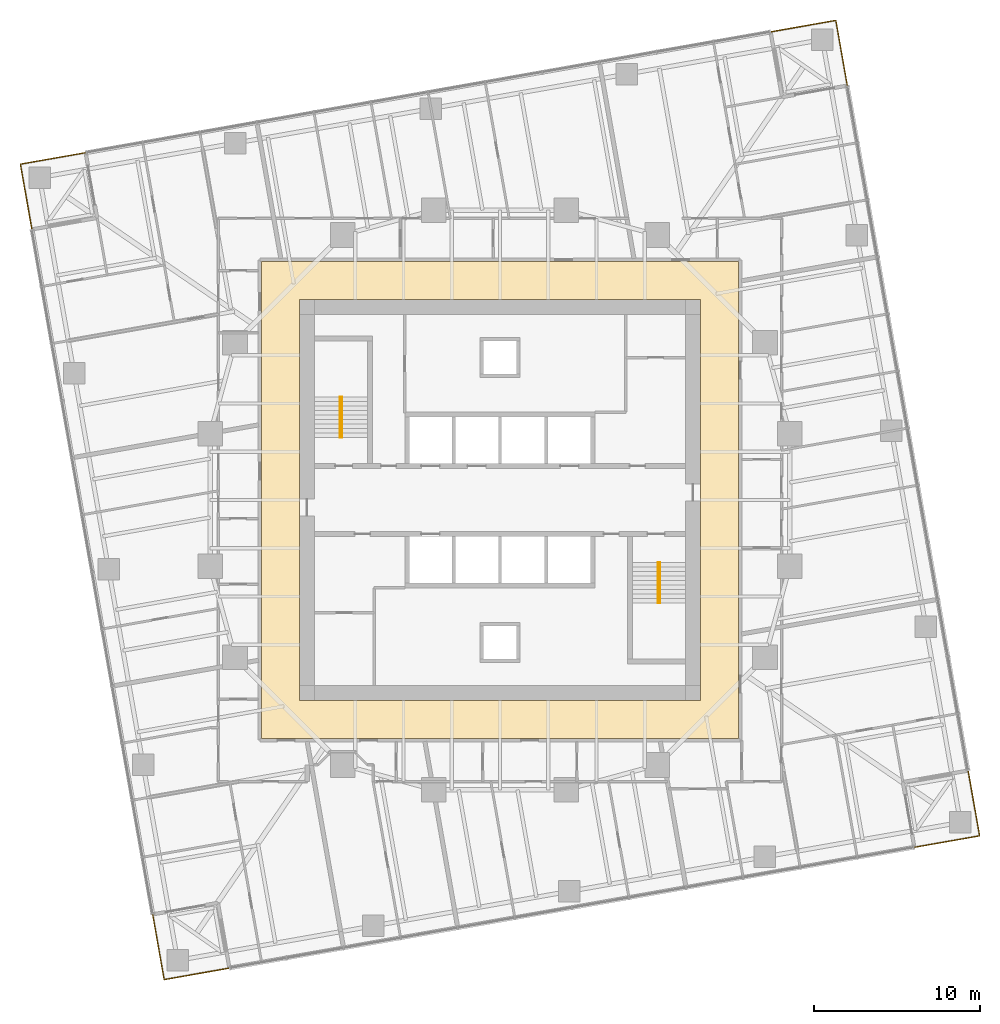
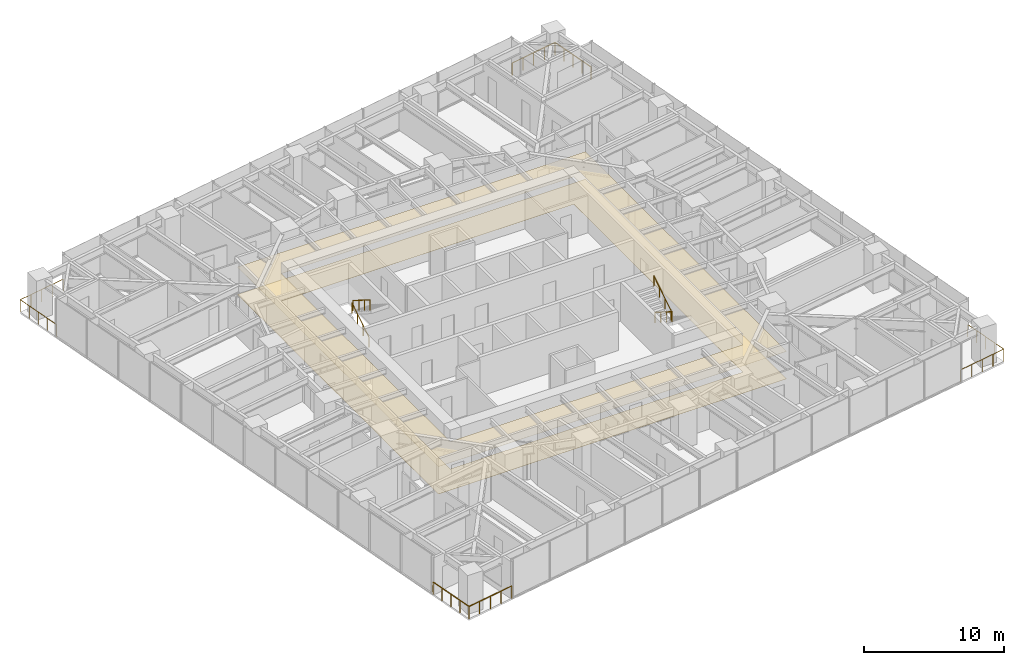
# One storey, part 14 of 14: 8 railings, 2 coverings, 2 elements without a shape of their own.
"""IFC4 building model written with IfcOpenShell, lengths in metres."""

from ifc_helpers import new_model, si_unit, direction, frame, origin, origin_2d, place, context, subcontext, project, spatial, polyline, circle, outline, extrude, material, layer, layer_set, type_object, element, aggregate, save


model = new_model("IFC4")

# Units and contexts
model_context = context("Model", 3, precision=1e-05, world=origin(), true_north=direction((0.0, 1.0)))
body_context = subcontext(model_context, "Body", "Model", "MODEL_VIEW")
ifc_project = project(units=[si_unit("LENGTHUNIT", "METRE"), si_unit("AREAUNIT", "SQUARE_METRE"), si_unit("VOLUMEUNIT", "CUBIC_METRE"), si_unit("PLANEANGLEUNIT", "RADIAN"), si_unit("MASSUNIT", "GRAM", prefix="KILO")], contexts=[model_context])

# Site, building, storey
site_placement = place(None, origin())
site = spatial("IfcSite", under=ifc_project, at=site_placement, CompositionType="ELEMENT")
building_placement = place(site_placement, origin())
building = spatial("IfcBuilding", under=site, at=building_placement, Name="Torsade Residences", CompositionType="ELEMENT")
storey_placement = place(building_placement, frame((0.0, 0.0, 86.199951171875)))
storey = spatial("IfcBuildingStorey", under=building, at=storey_placement, Name="L23", CompositionType="ELEMENT", Elevation=86.199951171875)

# Coverings
ifc_material_1 = material(Name="Nylon carpet tile on underlay", Category="textile")
ifc_layer_1 = layer(ifc_material_1, 0.010009765625)
ifc_layer_set_1 = layer_set([ifc_layer_1], Name="Nylon carpet tile on underlay")
covering_type_1 = type_object("IfcCoveringType", Name="CORRIDOR CARPET TILE 10", PredefinedType="FLOORING", material=ifc_layer_set_1)
covering_1_placement = place(storey_placement, origin())
element("IfcCovering", 1, at=covering_1_placement, inside=storey, type_object=covering_type_1, Name="Corridor carpet L23", PredefinedType="FLOORING", context=body_context, shape_type="SweptSolid", body=[
    extrude(outline(polyline([(54.39990234375, 15.60009765625), (54.39990234375, 44.39990234375), (25.60009765625, 44.39990234375), (25.60009765625, 15.60009765625), (54.39990234375, 15.60009765625)]), holes=[polyline([(52.10009765625, 42.10009765625), (27.89990234375, 42.10009765625), (27.89990234375, 17.89990234375), (52.10009765625, 17.89990234375), (52.10009765625, 42.10009765625)])]), origin(), (0.0, 0.0, 1.0), 0.010009765625),
])
ifc_material_2 = material(Name="Plasterboard on suspended steel grid", Category="steel")
ifc_layer_2 = layer(ifc_material_2, 0.012939453125)
ifc_layer_set_2 = layer_set([ifc_layer_2], Name="Plasterboard on suspended steel grid")
covering_type_2 = type_object("IfcCoveringType", Name="CORRIDOR SUSPENDED CEILING 13", PredefinedType="CEILING", material=ifc_layer_set_2)
covering_2_placement = place(storey_placement, frame((0.0, 0.0, 2.400146484375)))
element("IfcCovering", 2, at=covering_2_placement, inside=storey, type_object=covering_type_2, Name="Corridor ceiling L23", PredefinedType="CEILING", context=body_context, shape_type="SweptSolid", body=[
    extrude(outline(polyline([(54.39990234375, 15.60009765625), (54.39990234375, 44.39990234375), (25.60009765625, 44.39990234375), (25.60009765625, 15.60009765625), (54.39990234375, 15.60009765625)]), holes=[polyline([(52.10009765625, 42.10009765625), (27.89990234375, 42.10009765625), (27.89990234375, 17.89990234375), (52.10009765625, 17.89990234375), (52.10009765625, 42.10009765625)])]), origin(), (0.0, 0.0, 1.0), 0.012939453125),
])

# Stair, railings
ifc_material_3 = material(Name="Precast concrete 40 MPa", Category="concrete")
stair_type = type_object("IfcStairType", Name="HALF-TURN FIRE STAIR 1500x3400", PredefinedType="HALF_TURN_STAIR", material=ifc_material_3)
stair_1_placement = place(storey_placement, origin())
stair_1 = element("IfcStair", 3, at=stair_1_placement, inside=storey, type_object=stair_type, Name="Stair ST1 L23", PredefinedType="HALF_TURN_STAIR")
ifc_material_4 = material(Name="Steel handrail", Category="steel")
railing_type_1 = type_object("IfcRailingType", Name="STAIR HANDRAIL 900", PredefinedType="HANDRAIL", material=ifc_material_4)
railing_1_placement = place(storey_placement, frame((30.35009765625, 33.780029296875, 0.170166015625)))
railing_1 = element("IfcRailing", 4, at=railing_1_placement, type_object=railing_type_1, Name="Handrail ST1 flight 1 L23", PredefinedType="HANDRAIL", context=body_context, shape_type="SweptSolid", body=[
    extrude(circle(Radius=0.02392578125, at=origin_2d()), frame((0.0, 0.0, 0.8759765625), z_axis=(0.0, 0.846259816676, 0.532770422113), x_axis=(-1.0, 0.0, 0.0)), (0.0, 0.0, 1.0), 2.871337890625),
    extrude(circle(Radius=0.02099609375, at=origin_2d()), origin(), (0.0, 0.0, 1.0), 0.851806640625),
    extrude(circle(Radius=0.02099609375, at=origin_2d()), frame((0.0, 0.81005859375, 0.510009765625)), (0.0, 0.0, 1.0), 0.851806640625),
    extrude(circle(Radius=0.02099609375, at=origin_2d()), frame((0.0, 1.619873046875, 1.019775390625)), (0.0, 0.0, 1.0), 0.851806640625),
    extrude(circle(Radius=0.02099609375, at=origin_2d()), frame((0.0, 2.429931640625, 1.52978515625)), (0.0, 0.0, 1.0), 0.851806640625),
])
railing_2_placement = place(storey_placement, frame((30.449951171875, 36.2099609375, 1.8701171875)))
railing_2 = element("IfcRailing", 5, at=railing_2_placement, type_object=railing_type_1, Name="Handrail ST1 flight 2 L23", PredefinedType="HANDRAIL", context=body_context, shape_type="SweptSolid", body=[
    extrude(circle(Radius=0.02392578125, at=origin_2d()), frame((0.0, 0.0, 0.8759765625), z_axis=(0.0, -0.846221481393, 0.532831309544), x_axis=(1.0, 0.0, 0.0)), (0.0, 0.0, 1.0), 2.87158203125),
    extrude(circle(Radius=0.02099609375, at=origin_2d()), origin(), (0.0, 0.0, 1.0), 0.851806640625),
    extrude(circle(Radius=0.02099609375, at=origin_2d()), frame((0.0, -0.81005859375, 0.510009765625)), (0.0, 0.0, 1.0), 0.851806640625),
    extrude(circle(Radius=0.02099609375, at=origin_2d()), frame((0.0, -1.619873046875, 1.02001953125)), (0.0, 0.0, 1.0), 0.851806640625),
    extrude(circle(Radius=0.02099609375, at=origin_2d()), frame((0.0, -2.429931640625, 1.530029296875)), (0.0, 0.0, 1.0), 0.851806640625),
])
aggregate(stair_1, [railing_1, railing_2])

stair_2_placement = place(storey_placement, origin())
stair_2 = element("IfcStair", 6, at=stair_2_placement, inside=storey, type_object=stair_type, Name="Stair ST2 L23", PredefinedType="HALF_TURN_STAIR")
railing_3_placement = place(storey_placement, frame((49.64990234375, 26.219970703125, 0.170166015625)))
railing_3 = element("IfcRailing", 7, at=railing_3_placement, type_object=railing_type_1, Name="Handrail ST2 flight 1 L23", PredefinedType="HANDRAIL", context=body_context, shape_type="SweptSolid", body=[
    extrude(circle(Radius=0.02392578125, at=origin_2d()), frame((0.0, 0.0, 0.8759765625), z_axis=(0.0, -0.846259816676, 0.532770422113), x_axis=(1.0, 0.0, 0.0)), (0.0, 0.0, 1.0), 2.871337890625),
    extrude(circle(Radius=0.02099609375, at=origin_2d()), origin(), (0.0, 0.0, 1.0), 0.851806640625),
    extrude(circle(Radius=0.02099609375, at=origin_2d()), frame((0.0, -0.81005859375, 0.510009765625)), (0.0, 0.0, 1.0), 0.851806640625),
    extrude(circle(Radius=0.02099609375, at=origin_2d()), frame((0.0, -1.619873046875, 1.019775390625)), (0.0, 0.0, 1.0), 0.851806640625),
    extrude(circle(Radius=0.02099609375, at=origin_2d()), frame((0.0, -2.429931640625, 1.52978515625)), (0.0, 0.0, 1.0), 0.851806640625),
])
railing_4_placement = place(storey_placement, frame((49.550048828125, 23.7900390625, 1.8701171875)))
railing_4 = element("IfcRailing", 8, at=railing_4_placement, type_object=railing_type_1, Name="Handrail ST2 flight 2 L23", PredefinedType="HANDRAIL", context=body_context, shape_type="SweptSolid", body=[
    extrude(circle(Radius=0.02392578125, at=origin_2d()), frame((0.0, 0.0, 0.8759765625), z_axis=(0.0, 0.846221481393, 0.532831309544), x_axis=(-1.0, 0.0, 0.0)), (0.0, 0.0, 1.0), 2.87158203125),
    extrude(circle(Radius=0.02099609375, at=origin_2d()), origin(), (0.0, 0.0, 1.0), 0.851806640625),
    extrude(circle(Radius=0.02099609375, at=origin_2d()), frame((0.0, 0.81005859375, 0.510009765625)), (0.0, 0.0, 1.0), 0.851806640625),
    extrude(circle(Radius=0.02099609375, at=origin_2d()), frame((0.0, 1.619873046875, 1.02001953125)), (0.0, 0.0, 1.0), 0.851806640625),
    extrude(circle(Radius=0.02099609375, at=origin_2d()), frame((0.0, 2.429931640625, 1.530029296875)), (0.0, 0.0, 1.0), 0.851806640625),
])
aggregate(stair_2, [railing_3, railing_4])

# Railings
ifc_material_5 = material(Name="Laminated glass balustrade", Category="glass")
railing_type_2 = type_object("IfcRailingType", Name="TERRACE GLASS BALUSTRADE 1100", PredefinedType="BALUSTRADE", material=ifc_material_5)
railing_5_placement = place(storey_placement, frame((65.022216796875, 9.0263671875, 0.0)))
element("IfcRailing", 9, at=railing_5_placement, inside=storey, type_object=railing_type_2, Name="Terrace balustrade SE L23", PredefinedType="BALUSTRADE", context=body_context, shape_type="SweptSolid", body=[
    extrude(circle(Radius=0.02392578125, at=origin_2d()), frame((0.0, 0.0, 1.076171875), z_axis=(0.984808127031, 0.173646056486, 0.0), x_axis=(-0.173646056486, 0.984808127031, 0.0)), (0.0, 0.0, 1.0), 4.0),
    extrude(circle(Radius=0.02392578125, at=origin_2d()), frame((3.939208984375, 0.694580078125, 1.076171875), z_axis=(-0.173646056486, 0.984808127031, 0.0), x_axis=(-0.984808127031, -0.173646056486, 0.0)), (0.0, 0.0, 1.0), 4.0),
    extrude(circle(Radius=0.02099609375, at=origin_2d()), origin(), (0.0, 0.0, 1.0), 1.052001953125),
    extrude(circle(Radius=0.02099609375, at=origin_2d()), frame((0.98486328125, 0.173583984375, 0.0)), (0.0, 0.0, 1.0), 1.052001953125),
    extrude(circle(Radius=0.02099609375, at=origin_2d()), frame((1.9697265625, 0.34716796875, 0.0)), (0.0, 0.0, 1.0), 1.052001953125),
    extrude(circle(Radius=0.02099609375, at=origin_2d()), frame((2.954345703125, 0.52099609375, 0.0)), (0.0, 0.0, 1.0), 1.052001953125),
    extrude(circle(Radius=0.02099609375, at=origin_2d()), frame((3.939208984375, 0.694580078125, 0.0)), (0.0, 0.0, 1.0), 1.052001953125),
    extrude(circle(Radius=0.02099609375, at=origin_2d()), frame((3.765625, 1.679443359375, 0.0)), (0.0, 0.0, 1.0), 1.052001953125),
    extrude(circle(Radius=0.02099609375, at=origin_2d()), frame((3.591796875, 2.6640625, 0.0)), (0.0, 0.0, 1.0), 1.052001953125),
    extrude(circle(Radius=0.02099609375, at=origin_2d()), frame((3.418212890625, 3.64892578125, 0.0)), (0.0, 0.0, 1.0), 1.052001953125),
    extrude(circle(Radius=0.02099609375, at=origin_2d()), frame((3.24462890625, 4.6337890625, 0.0)), (0.0, 0.0, 1.0), 1.052001953125),
])
railing_6_placement = place(storey_placement, frame((60.9736328125, 55.022216796875, 0.0)))
element("IfcRailing", 10, at=railing_6_placement, inside=storey, type_object=railing_type_2, Name="Terrace balustrade NE L23", PredefinedType="BALUSTRADE", context=body_context, shape_type="SweptSolid", body=[
    extrude(circle(Radius=0.02392578125, at=origin_2d()), frame((0.0, 0.0, 1.076171875), z_axis=(-0.173646056486, 0.984808127031, 0.0), x_axis=(-0.984808127031, -0.173646056486, 0.0)), (0.0, 0.0, 1.0), 4.0),
    extrude(circle(Radius=0.02392578125, at=origin_2d()), frame((-0.694580078125, 3.939208984375, 1.076171875), z_axis=(-0.984808127031, -0.173646056486, 0.0), x_axis=(0.173646056486, -0.984808127031, 0.0)), (0.0, 0.0, 1.0), 4.0),
    extrude(circle(Radius=0.02099609375, at=origin_2d()), origin(), (0.0, 0.0, 1.0), 1.052001953125),
    extrude(circle(Radius=0.02099609375, at=origin_2d()), frame((-0.173583984375, 0.98486328125, 0.0)), (0.0, 0.0, 1.0), 1.052001953125),
    extrude(circle(Radius=0.02099609375, at=origin_2d()), frame((-0.34716796875, 1.9697265625, 0.0)), (0.0, 0.0, 1.0), 1.052001953125),
    extrude(circle(Radius=0.02099609375, at=origin_2d()), frame((-0.52099609375, 2.954345703125, 0.0)), (0.0, 0.0, 1.0), 1.052001953125),
    extrude(circle(Radius=0.02099609375, at=origin_2d()), frame((-0.694580078125, 3.939208984375, 0.0)), (0.0, 0.0, 1.0), 1.052001953125),
    extrude(circle(Radius=0.02099609375, at=origin_2d()), frame((-1.679443359375, 3.765625, 0.0)), (0.0, 0.0, 1.0), 1.052001953125),
    extrude(circle(Radius=0.02099609375, at=origin_2d()), frame((-2.6640625, 3.591796875, 0.0)), (0.0, 0.0, 1.0), 1.052001953125),
    extrude(circle(Radius=0.02099609375, at=origin_2d()), frame((-3.64892578125, 3.418212890625, 0.0)), (0.0, 0.0, 1.0), 1.052001953125),
    extrude(circle(Radius=0.02099609375, at=origin_2d()), frame((-4.6337890625, 3.24462890625, 0.0)), (0.0, 0.0, 1.0), 1.052001953125),
])
railing_7_placement = place(storey_placement, frame((14.977783203125, 50.9736328125, 0.0)))
element("IfcRailing", 11, at=railing_7_placement, inside=storey, type_object=railing_type_2, Name="Terrace balustrade NW L23", PredefinedType="BALUSTRADE", context=body_context, shape_type="SweptSolid", body=[
    extrude(circle(Radius=0.02392578125, at=origin_2d()), frame((0.0, 0.0, 1.076171875), z_axis=(-0.984808127031, -0.173646056486, 0.0), x_axis=(0.173646056486, -0.984808127031, 0.0)), (0.0, 0.0, 1.0), 4.0),
    extrude(circle(Radius=0.02392578125, at=origin_2d()), frame((-3.939208984375, -0.694580078125, 1.076171875), z_axis=(0.173646056486, -0.984808127031, 0.0), x_axis=(0.984808127031, 0.173646056486, 0.0)), (0.0, 0.0, 1.0), 4.0),
    extrude(circle(Radius=0.02099609375, at=origin_2d()), origin(), (0.0, 0.0, 1.0), 1.052001953125),
    extrude(circle(Radius=0.02099609375, at=origin_2d()), frame((-0.98486328125, -0.173583984375, 0.0)), (0.0, 0.0, 1.0), 1.052001953125),
    extrude(circle(Radius=0.02099609375, at=origin_2d()), frame((-1.9697265625, -0.34716796875, 0.0)), (0.0, 0.0, 1.0), 1.052001953125),
    extrude(circle(Radius=0.02099609375, at=origin_2d()), frame((-2.954345703125, -0.52099609375, 0.0)), (0.0, 0.0, 1.0), 1.052001953125),
    extrude(circle(Radius=0.02099609375, at=origin_2d()), frame((-3.939208984375, -0.694580078125, 0.0)), (0.0, 0.0, 1.0), 1.052001953125),
    extrude(circle(Radius=0.02099609375, at=origin_2d()), frame((-3.765625, -1.679443359375, 0.0)), (0.0, 0.0, 1.0), 1.052001953125),
    extrude(circle(Radius=0.02099609375, at=origin_2d()), frame((-3.591796875, -2.6640625, 0.0)), (0.0, 0.0, 1.0), 1.052001953125),
    extrude(circle(Radius=0.02099609375, at=origin_2d()), frame((-3.418212890625, -3.64892578125, 0.0)), (0.0, 0.0, 1.0), 1.052001953125),
    extrude(circle(Radius=0.02099609375, at=origin_2d()), frame((-3.24462890625, -4.6337890625, 0.0)), (0.0, 0.0, 1.0), 1.052001953125),
])
railing_8_placement = place(storey_placement, frame((19.0263671875, 4.977783203125, 0.0)))
element("IfcRailing", 12, at=railing_8_placement, inside=storey, type_object=railing_type_2, Name="Terrace balustrade SW L23", PredefinedType="BALUSTRADE", context=body_context, shape_type="SweptSolid", body=[
    extrude(circle(Radius=0.02392578125, at=origin_2d()), frame((0.0, 0.0, 1.076171875), z_axis=(0.173646056486, -0.984808127031, 0.0), x_axis=(0.984808127031, 0.173646056486, 0.0)), (0.0, 0.0, 1.0), 4.0),
    extrude(circle(Radius=0.02392578125, at=origin_2d()), frame((0.694580078125, -3.939208984375, 1.076171875), z_axis=(0.984808127031, 0.173646056486, 0.0), x_axis=(-0.173646056486, 0.984808127031, 0.0)), (0.0, 0.0, 1.0), 4.0),
    extrude(circle(Radius=0.02099609375, at=origin_2d()), origin(), (0.0, 0.0, 1.0), 1.052001953125),
    extrude(circle(Radius=0.02099609375, at=origin_2d()), frame((0.173583984375, -0.98486328125, 0.0)), (0.0, 0.0, 1.0), 1.052001953125),
    extrude(circle(Radius=0.02099609375, at=origin_2d()), frame((0.34716796875, -1.9697265625, 0.0)), (0.0, 0.0, 1.0), 1.052001953125),
    extrude(circle(Radius=0.02099609375, at=origin_2d()), frame((0.52099609375, -2.954345703125, 0.0)), (0.0, 0.0, 1.0), 1.052001953125),
    extrude(circle(Radius=0.02099609375, at=origin_2d()), frame((0.694580078125, -3.939208984375, 0.0)), (0.0, 0.0, 1.0), 1.052001953125),
    extrude(circle(Radius=0.02099609375, at=origin_2d()), frame((1.679443359375, -3.765625, 0.0)), (0.0, 0.0, 1.0), 1.052001953125),
    extrude(circle(Radius=0.02099609375, at=origin_2d()), frame((2.6640625, -3.591796875, 0.0)), (0.0, 0.0, 1.0), 1.052001953125),
    extrude(circle(Radius=0.02099609375, at=origin_2d()), frame((3.64892578125, -3.418212890625, 0.0)), (0.0, 0.0, 1.0), 1.052001953125),
    extrude(circle(Radius=0.02099609375, at=origin_2d()), frame((4.6337890625, -3.24462890625, 0.0)), (0.0, 0.0, 1.0), 1.052001953125),
])

save(model, "model.ifc")
